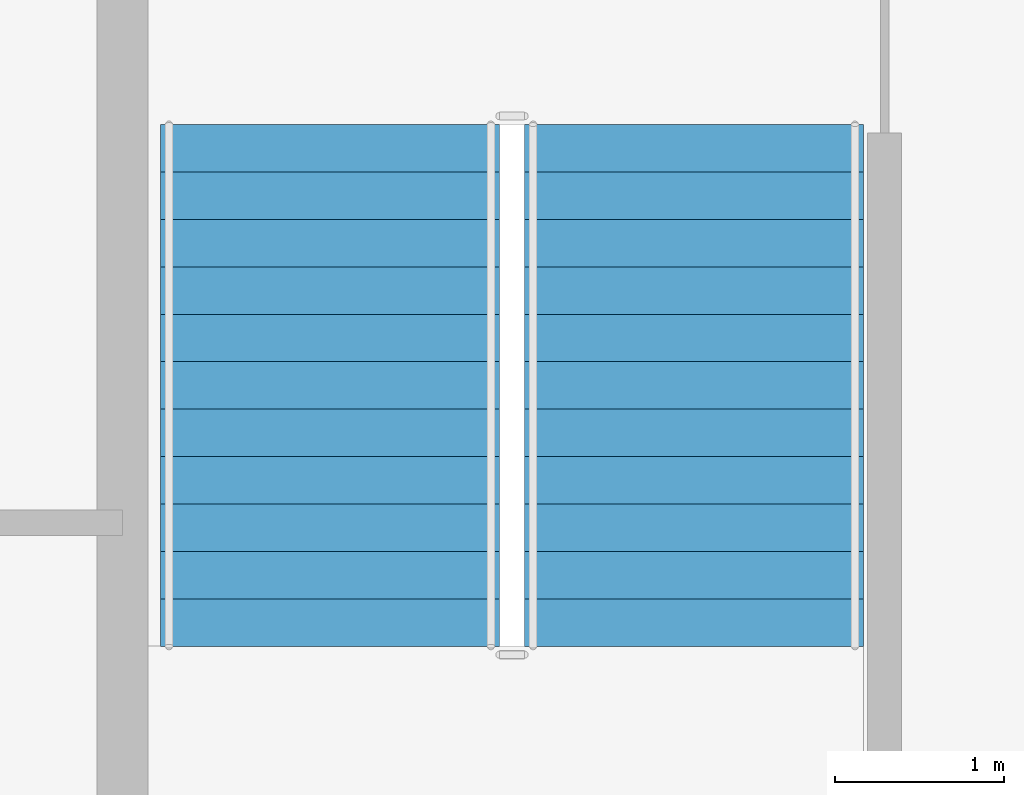
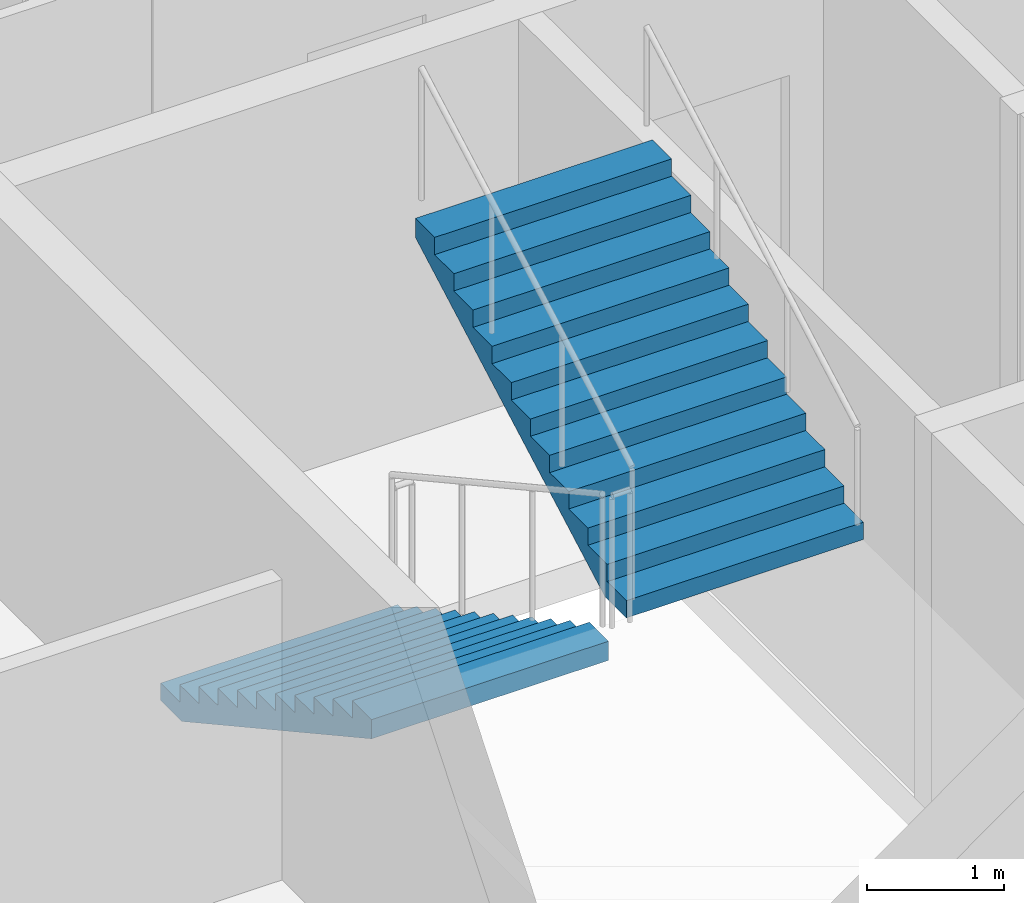
# One storey, part 8 of 11: 2 stair flights, 1 element without a shape of its own.
"""IFC4 building model written with IfcOpenShell, lengths in metres."""

from ifc_helpers import new_model, si_unit, direction, frame, origin, place, context, subcontext, project, spatial, polygons, material, type_object, element, aggregate, save


model = new_model("IFC4")

# Units and contexts
model_context = context("Model", 3, precision=1e-05, world=origin(), true_north=direction((0.0, 1.0)))
body_context = subcontext(model_context, "Body", "Model", "MODEL_VIEW")
ifc_project = project(units=[si_unit("LENGTHUNIT", "METRE"), si_unit("AREAUNIT", "SQUARE_METRE"), si_unit("VOLUMEUNIT", "CUBIC_METRE"), si_unit("PLANEANGLEUNIT", "RADIAN"), si_unit("MASSUNIT", "GRAM", prefix="KILO")], contexts=[model_context])

# Site, building, storey
site_placement = place(None, origin())
site = spatial("IfcSite", under=ifc_project, at=site_placement, CompositionType="ELEMENT")
building_placement = place(site_placement, origin())
building = spatial("IfcBuilding", under=site, at=building_placement, Name="Caravel Reach Hotel and Residences", CompositionType="ELEMENT")
storey_placement = place(building_placement, frame((0.0, 0.0, 225.699951171875)))
storey = spatial("IfcBuildingStorey", under=building, at=storey_placement, Name="L57", CompositionType="ELEMENT", Elevation=225.699951171875)

# Stair, stair flights
ifc_material_1 = material(Name="Concrete C40", Category="concrete")
stair_type = type_object("IfcStairType", Name="Core stair", PredefinedType="HALF_TURN_STAIR", material=ifc_material_1)
stair_placement = place(storey_placement, origin())
stair = element("IfcStair", 1, at=stair_placement, inside=storey, type_object=stair_type, Name="L57 Exit stair A", PredefinedType="HALF_TURN_STAIR")
ifc_material_2 = material(Name="Concrete C40", Category="concrete")
stair_flight_type = type_object("IfcStairFlightType", Name="Core stair flight", PredefinedType="STRAIGHT", material=ifc_material_2)
stair_flight_1_placement = place(storey_placement, frame((19.22509765625, 29.35009765625, 0.0), z_axis=(0.0, 0.0, 1.0), x_axis=(0.0, -1.0, 0.0)))
stair_flight_1 = element("IfcStairFlight", 2, at=stair_flight_1_placement, type_object=stair_flight_type, Name="ST-A flight 1", NumberOfRisers=12, NumberOfTreads=11, PredefinedType="STRAIGHT", RiserHeight=0.154166667, TreadLength=0.28, context=body_context, shape_type="Tessellation", body=[
    polygons([(0.3107950034306102, 1.0, 0.0), (0.3107950034306102, 0.6666666666666667, 0.0), (0.3107950034306102, 0.33333333333333337, 0.0), (0.3107950034306102, 0.0, 0.0), (0.3107950034306102, -0.33333333333333326, 0.0), (0.3107950034306102, -0.6666666666666667, 0.0), (0.3107950034306102, -1.0, 0.0), (3.081, 1.0, 1.524711087717319), (3.081, 0.6666666666666667, 1.524711087717319), (3.081, 0.33333333333333337, 1.524711087717319), (3.081, 0.0, 1.524711087717319), (3.081, -0.33333333333333326, 1.524711087717319), (3.081, -0.6666666666666667, 1.524711087717319), (3.081, -1.0, 1.524711087717319), (3.081, 1.0, 1.695833337), (3.081, 0.6666666666666667, 1.695833337), (3.081, 0.33333333333333337, 1.695833337), (3.081, 0.0, 1.695833337), (3.081, -0.33333333333333326, 1.695833337), (3.081, -0.6666666666666667, 1.695833337), (3.081, -1.0, 1.695833337), (2.8000000000000003, 1.0, 1.695833337), (2.8000000000000003, 0.6666666666666667, 1.695833337), (2.8000000000000003, 0.33333333333333337, 1.695833337), (2.8000000000000003, 0.0, 1.695833337), (2.8000000000000003, -0.33333333333333326, 1.695833337), (2.8000000000000003, -0.6666666666666667, 1.695833337), (2.8000000000000003, -1.0, 1.695833337), (2.8000000000000003, 1.0, 1.5416666700000001), (2.8000000000000003, 0.6666666666666667, 1.5416666700000001), (2.8000000000000003, 0.33333333333333337, 1.5416666700000001), (2.8000000000000003, 0.0, 1.5416666700000001), (2.8000000000000003, -0.33333333333333326, 1.5416666700000001), (2.8000000000000003, -0.6666666666666667, 1.5416666700000001), (2.8000000000000003, -1.0, 1.5416666700000001), (2.5200000000000005, 1.0, 1.5416666700000001), (2.5200000000000005, 0.6666666666666667, 1.5416666700000001), (2.5200000000000005, 0.33333333333333337, 1.5416666700000001), (2.5200000000000005, 0.0, 1.5416666700000001), (2.5200000000000005, -0.33333333333333326, 1.5416666700000001), (2.5200000000000005, -0.6666666666666667, 1.5416666700000001), (2.5200000000000005, -1.0, 1.5416666700000001), (2.5200000000000005, 1.0, 1.387500003), (2.5200000000000005, 0.6666666666666667, 1.387500003), (2.5200000000000005, 0.33333333333333337, 1.387500003), (2.5200000000000005, 0.0, 1.387500003), (2.5200000000000005, -0.33333333333333326, 1.387500003), (2.5200000000000005, -0.6666666666666667, 1.387500003), (2.5200000000000005, -1.0, 1.387500003), (2.24, 1.0, 1.387500003), (2.24, 0.6666666666666667, 1.387500003), (2.24, 0.33333333333333337, 1.387500003), (2.24, 0.0, 1.387500003), (2.24, -0.33333333333333326, 1.387500003), (2.24, -0.6666666666666667, 1.387500003), (2.24, -1.0, 1.387500003), (2.24, 1.0, 1.233333336), (2.24, 0.6666666666666667, 1.233333336), (2.24, 0.33333333333333337, 1.233333336), (2.24, 0.0, 1.233333336), (2.24, -0.33333333333333326, 1.233333336), (2.24, -0.6666666666666667, 1.233333336), (2.24, -1.0, 1.233333336), (1.9600000000000002, 1.0, 1.233333336), (1.9600000000000002, 0.6666666666666667, 1.233333336), (1.9600000000000002, 0.33333333333333337, 1.233333336), (1.9600000000000002, 0.0, 1.233333336), (1.9600000000000002, -0.33333333333333326, 1.233333336), (1.9600000000000002, -0.6666666666666667, 1.233333336), (1.9600000000000002, -1.0, 1.233333336), (1.9600000000000002, 1.0, 1.0791666690000001), (1.9600000000000002, 0.6666666666666667, 1.0791666690000001), (1.9600000000000002, 0.33333333333333337, 1.0791666690000001), (1.9600000000000002, 0.0, 1.0791666690000001), (1.9600000000000002, -0.33333333333333326, 1.0791666690000001), (1.9600000000000002, -0.6666666666666667, 1.0791666690000001), (1.9600000000000002, -1.0, 1.0791666690000001), (1.6800000000000002, 1.0, 1.0791666690000001), (1.6800000000000002, 0.6666666666666667, 1.0791666690000001), (1.6800000000000002, 0.33333333333333337, 1.0791666690000001), (1.6800000000000002, 0.0, 1.0791666690000001), (1.6800000000000002, -0.33333333333333326, 1.0791666690000001), (1.6800000000000002, -0.6666666666666667, 1.0791666690000001), (1.6800000000000002, -1.0, 1.0791666690000001), (1.6800000000000002, 1.0, 0.925000002), (1.6800000000000002, 0.6666666666666667, 0.925000002), (1.6800000000000002, 0.33333333333333337, 0.925000002), (1.6800000000000002, 0.0, 0.925000002), (1.6800000000000002, -0.33333333333333326, 0.925000002), (1.6800000000000002, -0.6666666666666667, 0.925000002), (1.6800000000000002, -1.0, 0.925000002), (1.4000000000000001, 1.0, 0.925000002), (1.4000000000000001, 0.6666666666666667, 0.925000002), (1.4000000000000001, 0.33333333333333337, 0.925000002), (1.4000000000000001, 0.0, 0.925000002), (1.4000000000000001, -0.33333333333333326, 0.925000002), (1.4000000000000001, -0.6666666666666667, 0.925000002), (1.4000000000000001, -1.0, 0.925000002), (1.4000000000000001, 1.0, 0.7708333350000001), (1.4000000000000001, 0.6666666666666667, 0.7708333350000001), (1.4000000000000001, 0.33333333333333337, 0.7708333350000001), (1.4000000000000001, 0.0, 0.7708333350000001), (1.4000000000000001, -0.33333333333333326, 0.7708333350000001), (1.4000000000000001, -0.6666666666666667, 0.7708333350000001), (1.4000000000000001, -1.0, 0.7708333350000001), (1.12, 1.0, 0.7708333350000001), (1.12, 0.6666666666666667, 0.7708333350000001), (1.12, 0.33333333333333337, 0.7708333350000001), (1.12, 0.0, 0.7708333350000001), (1.12, -0.33333333333333326, 0.7708333350000001), (1.12, -0.6666666666666667, 0.7708333350000001), (1.12, -1.0, 0.7708333350000001), (1.12, 1.0, 0.616666668), (1.12, 0.6666666666666667, 0.616666668), (1.12, 0.33333333333333337, 0.616666668), (1.12, 0.0, 0.616666668), (1.12, -0.33333333333333326, 0.616666668), (1.12, -0.6666666666666667, 0.616666668), (1.12, -1.0, 0.616666668), (0.8400000000000001, 1.0, 0.616666668), (0.8400000000000001, 0.6666666666666667, 0.616666668), (0.8400000000000001, 0.33333333333333337, 0.616666668), (0.8400000000000001, 0.0, 0.616666668), (0.8400000000000001, -0.33333333333333326, 0.616666668), (0.8400000000000001, -0.6666666666666667, 0.616666668), (0.8400000000000001, -1.0, 0.616666668), (0.8400000000000001, 1.0, 0.462500001), (0.8400000000000001, 0.6666666666666667, 0.462500001), (0.8400000000000001, 0.33333333333333337, 0.462500001), (0.8400000000000001, 0.0, 0.462500001), (0.8400000000000001, -0.33333333333333326, 0.462500001), (0.8400000000000001, -0.6666666666666667, 0.462500001), (0.8400000000000001, -1.0, 0.462500001), (0.56, 1.0, 0.462500001), (0.56, 0.6666666666666667, 0.462500001), (0.56, 0.33333333333333337, 0.462500001), (0.56, 0.0, 0.462500001), (0.56, -0.33333333333333326, 0.462500001), (0.56, -0.6666666666666667, 0.462500001), (0.56, -1.0, 0.462500001), (0.56, 1.0, 0.308333334), (0.56, 0.6666666666666667, 0.308333334), (0.56, 0.33333333333333337, 0.308333334), (0.56, 0.0, 0.308333334), (0.56, -0.33333333333333326, 0.308333334), (0.56, -0.6666666666666667, 0.308333334), (0.56, -1.0, 0.308333334), (0.28, 1.0, 0.308333334), (0.28, 0.6666666666666667, 0.308333334), (0.28, 0.33333333333333337, 0.308333334), (0.28, 0.0, 0.308333334), (0.28, -0.33333333333333326, 0.308333334), (0.28, -0.6666666666666667, 0.308333334), (0.28, -1.0, 0.308333334), (0.28, 1.0, 0.154166667), (0.28, 0.6666666666666667, 0.154166667), (0.28, 0.33333333333333337, 0.154166667), (0.28, 0.0, 0.154166667), (0.28, -0.33333333333333326, 0.154166667), (0.28, -0.6666666666666667, 0.154166667), (0.28, -1.0, 0.154166667), (-0.001, 1.0, 0.154166667), (-0.001, 0.6666666666666667, 0.154166667), (-0.001, 0.33333333333333337, 0.154166667), (-0.001, 0.0, 0.154166667), (-0.001, -0.33333333333333326, 0.154166667), (-0.001, -0.6666666666666667, 0.154166667), (-0.001, -1.0, 0.154166667), (-0.001, 1.0, 0.0), (-0.001, 0.6666666666666667, 0.0), (-0.001, 0.33333333333333337, 0.0), (-0.001, 0.0, 0.0), (-0.001, -0.33333333333333326, 0.0), (-0.001, -0.6666666666666667, 0.0), (-0.001, -1.0, 0.0)], [[[169, 162, 155, 148, 141, 134, 127, 120, 113, 106, 99, 92, 85, 78, 71, 64, 57, 50, 43, 36, 29, 22, 15, 8, 1]], [[7, 14, 21, 28, 35, 42, 49, 56, 63, 70, 77, 84, 91, 98, 105, 112, 119, 126, 133, 140, 147, 154, 161, 168, 175]], [[1, 8, 9, 2]], [[2, 9, 10, 3]], [[3, 10, 11, 4]], [[4, 11, 12, 5]], [[5, 12, 13, 6]], [[6, 13, 14, 7]], [[8, 15, 16, 9]], [[9, 16, 17, 10]], [[10, 17, 18, 11]], [[11, 18, 19, 12]], [[12, 19, 20, 13]], [[13, 20, 21, 14]], [[15, 22, 23, 16]], [[16, 23, 24, 17]], [[17, 24, 25, 18]], [[18, 25, 26, 19]], [[19, 26, 27, 20]], [[20, 27, 28, 21]], [[22, 29, 30, 23]], [[23, 30, 31, 24]], [[24, 31, 32, 25]], [[25, 32, 33, 26]], [[26, 33, 34, 27]], [[27, 34, 35, 28]], [[29, 36, 37, 30]], [[30, 37, 38, 31]], [[31, 38, 39, 32]], [[32, 39, 40, 33]], [[33, 40, 41, 34]], [[34, 41, 42, 35]], [[36, 43, 44, 37]], [[37, 44, 45, 38]], [[38, 45, 46, 39]], [[39, 46, 47, 40]], [[40, 47, 48, 41]], [[41, 48, 49, 42]], [[43, 50, 51, 44]], [[44, 51, 52, 45]], [[45, 52, 53, 46]], [[46, 53, 54, 47]], [[47, 54, 55, 48]], [[48, 55, 56, 49]], [[50, 57, 58, 51]], [[51, 58, 59, 52]], [[52, 59, 60, 53]], [[53, 60, 61, 54]], [[54, 61, 62, 55]], [[55, 62, 63, 56]], [[57, 64, 65, 58]], [[58, 65, 66, 59]], [[59, 66, 67, 60]], [[60, 67, 68, 61]], [[61, 68, 69, 62]], [[62, 69, 70, 63]], [[64, 71, 72, 65]], [[65, 72, 73, 66]], [[66, 73, 74, 67]], [[67, 74, 75, 68]], [[68, 75, 76, 69]], [[69, 76, 77, 70]], [[71, 78, 79, 72]], [[72, 79, 80, 73]], [[73, 80, 81, 74]], [[74, 81, 82, 75]], [[75, 82, 83, 76]], [[76, 83, 84, 77]], [[78, 85, 86, 79]], [[79, 86, 87, 80]], [[80, 87, 88, 81]], [[81, 88, 89, 82]], [[82, 89, 90, 83]], [[83, 90, 91, 84]], [[85, 92, 93, 86]], [[86, 93, 94, 87]], [[87, 94, 95, 88]], [[88, 95, 96, 89]], [[89, 96, 97, 90]], [[90, 97, 98, 91]], [[92, 99, 100, 93]], [[93, 100, 101, 94]], [[94, 101, 102, 95]], [[95, 102, 103, 96]], [[96, 103, 104, 97]], [[97, 104, 105, 98]], [[99, 106, 107, 100]], [[100, 107, 108, 101]], [[101, 108, 109, 102]], [[102, 109, 110, 103]], [[103, 110, 111, 104]], [[104, 111, 112, 105]], [[106, 113, 114, 107]], [[107, 114, 115, 108]], [[108, 115, 116, 109]], [[109, 116, 117, 110]], [[110, 117, 118, 111]], [[111, 118, 119, 112]], [[113, 120, 121, 114]], [[114, 121, 122, 115]], [[115, 122, 123, 116]], [[116, 123, 124, 117]], [[117, 124, 125, 118]], [[118, 125, 126, 119]], [[120, 127, 128, 121]], [[121, 128, 129, 122]], [[122, 129, 130, 123]], [[123, 130, 131, 124]], [[124, 131, 132, 125]], [[125, 132, 133, 126]], [[127, 134, 135, 128]], [[128, 135, 136, 129]], [[129, 136, 137, 130]], [[130, 137, 138, 131]], [[131, 138, 139, 132]], [[132, 139, 140, 133]], [[134, 141, 142, 135]], [[135, 142, 143, 136]], [[136, 143, 144, 137]], [[137, 144, 145, 138]], [[138, 145, 146, 139]], [[139, 146, 147, 140]], [[141, 148, 149, 142]], [[142, 149, 150, 143]], [[143, 150, 151, 144]], [[144, 151, 152, 145]], [[145, 152, 153, 146]], [[146, 153, 154, 147]], [[148, 155, 156, 149]], [[149, 156, 157, 150]], [[150, 157, 158, 151]], [[151, 158, 159, 152]], [[152, 159, 160, 153]], [[153, 160, 161, 154]], [[155, 162, 163, 156]], [[156, 163, 164, 157]], [[157, 164, 165, 158]], [[158, 165, 166, 159]], [[159, 166, 167, 160]], [[160, 167, 168, 161]], [[162, 169, 170, 163]], [[163, 170, 171, 164]], [[164, 171, 172, 165]], [[165, 172, 173, 166]], [[166, 173, 174, 167]], [[167, 174, 175, 168]], [[169, 1, 2, 170]], [[170, 2, 3, 171]], [[171, 3, 4, 172]], [[172, 4, 5, 173]], [[173, 5, 6, 174]], [[174, 6, 7, 175]]], closed=True),
])
stair_flight_2_placement = place(storey_placement, frame((21.375, 26.27001953125, 1.85009765625), z_axis=(0.0, 0.0, 1.0), x_axis=(0.0, 1.0, 0.0)))
stair_flight_2 = element("IfcStairFlight", 3, at=stair_flight_2_placement, type_object=stair_flight_type, Name="ST-A flight 2", NumberOfRisers=12, NumberOfTreads=11, PredefinedType="STRAIGHT", RiserHeight=0.154166667, TreadLength=0.28, context=body_context, shape_type="Tessellation", body=[
    polygons([(0.3107950034306102, 1.0, 0.0), (0.3107950034306102, 0.6666666666666667, 0.0), (0.3107950034306102, 0.33333333333333337, 0.0), (0.3107950034306102, 0.0, 0.0), (0.3107950034306102, -0.33333333333333326, 0.0), (0.3107950034306102, -0.6666666666666667, 0.0), (0.3107950034306102, -1.0, 0.0), (3.081, 1.0, 1.524711087717319), (3.081, 0.6666666666666667, 1.524711087717319), (3.081, 0.33333333333333337, 1.524711087717319), (3.081, 0.0, 1.524711087717319), (3.081, -0.33333333333333326, 1.524711087717319), (3.081, -0.6666666666666667, 1.524711087717319), (3.081, -1.0, 1.524711087717319), (3.081, 1.0, 1.695833337), (3.081, 0.6666666666666667, 1.695833337), (3.081, 0.33333333333333337, 1.695833337), (3.081, 0.0, 1.695833337), (3.081, -0.33333333333333326, 1.695833337), (3.081, -0.6666666666666667, 1.695833337), (3.081, -1.0, 1.695833337), (2.8000000000000003, 1.0, 1.695833337), (2.8000000000000003, 0.6666666666666667, 1.695833337), (2.8000000000000003, 0.33333333333333337, 1.695833337), (2.8000000000000003, 0.0, 1.695833337), (2.8000000000000003, -0.33333333333333326, 1.695833337), (2.8000000000000003, -0.6666666666666667, 1.695833337), (2.8000000000000003, -1.0, 1.695833337), (2.8000000000000003, 1.0, 1.5416666700000001), (2.8000000000000003, 0.6666666666666667, 1.5416666700000001), (2.8000000000000003, 0.33333333333333337, 1.5416666700000001), (2.8000000000000003, 0.0, 1.5416666700000001), (2.8000000000000003, -0.33333333333333326, 1.5416666700000001), (2.8000000000000003, -0.6666666666666667, 1.5416666700000001), (2.8000000000000003, -1.0, 1.5416666700000001), (2.5200000000000005, 1.0, 1.5416666700000001), (2.5200000000000005, 0.6666666666666667, 1.5416666700000001), (2.5200000000000005, 0.33333333333333337, 1.5416666700000001), (2.5200000000000005, 0.0, 1.5416666700000001), (2.5200000000000005, -0.33333333333333326, 1.5416666700000001), (2.5200000000000005, -0.6666666666666667, 1.5416666700000001), (2.5200000000000005, -1.0, 1.5416666700000001), (2.5200000000000005, 1.0, 1.387500003), (2.5200000000000005, 0.6666666666666667, 1.387500003), (2.5200000000000005, 0.33333333333333337, 1.387500003), (2.5200000000000005, 0.0, 1.387500003), (2.5200000000000005, -0.33333333333333326, 1.387500003), (2.5200000000000005, -0.6666666666666667, 1.387500003), (2.5200000000000005, -1.0, 1.387500003), (2.24, 1.0, 1.387500003), (2.24, 0.6666666666666667, 1.387500003), (2.24, 0.33333333333333337, 1.387500003), (2.24, 0.0, 1.387500003), (2.24, -0.33333333333333326, 1.387500003), (2.24, -0.6666666666666667, 1.387500003), (2.24, -1.0, 1.387500003), (2.24, 1.0, 1.233333336), (2.24, 0.6666666666666667, 1.233333336), (2.24, 0.33333333333333337, 1.233333336), (2.24, 0.0, 1.233333336), (2.24, -0.33333333333333326, 1.233333336), (2.24, -0.6666666666666667, 1.233333336), (2.24, -1.0, 1.233333336), (1.9600000000000002, 1.0, 1.233333336), (1.9600000000000002, 0.6666666666666667, 1.233333336), (1.9600000000000002, 0.33333333333333337, 1.233333336), (1.9600000000000002, 0.0, 1.233333336), (1.9600000000000002, -0.33333333333333326, 1.233333336), (1.9600000000000002, -0.6666666666666667, 1.233333336), (1.9600000000000002, -1.0, 1.233333336), (1.9600000000000002, 1.0, 1.0791666690000001), (1.9600000000000002, 0.6666666666666667, 1.0791666690000001), (1.9600000000000002, 0.33333333333333337, 1.0791666690000001), (1.9600000000000002, 0.0, 1.0791666690000001), (1.9600000000000002, -0.33333333333333326, 1.0791666690000001), (1.9600000000000002, -0.6666666666666667, 1.0791666690000001), (1.9600000000000002, -1.0, 1.0791666690000001), (1.6800000000000002, 1.0, 1.0791666690000001), (1.6800000000000002, 0.6666666666666667, 1.0791666690000001), (1.6800000000000002, 0.33333333333333337, 1.0791666690000001), (1.6800000000000002, 0.0, 1.0791666690000001), (1.6800000000000002, -0.33333333333333326, 1.0791666690000001), (1.6800000000000002, -0.6666666666666667, 1.0791666690000001), (1.6800000000000002, -1.0, 1.0791666690000001), (1.6800000000000002, 1.0, 0.925000002), (1.6800000000000002, 0.6666666666666667, 0.925000002), (1.6800000000000002, 0.33333333333333337, 0.925000002), (1.6800000000000002, 0.0, 0.925000002), (1.6800000000000002, -0.33333333333333326, 0.925000002), (1.6800000000000002, -0.6666666666666667, 0.925000002), (1.6800000000000002, -1.0, 0.925000002), (1.4000000000000001, 1.0, 0.925000002), (1.4000000000000001, 0.6666666666666667, 0.925000002), (1.4000000000000001, 0.33333333333333337, 0.925000002), (1.4000000000000001, 0.0, 0.925000002), (1.4000000000000001, -0.33333333333333326, 0.925000002), (1.4000000000000001, -0.6666666666666667, 0.925000002), (1.4000000000000001, -1.0, 0.925000002), (1.4000000000000001, 1.0, 0.7708333350000001), (1.4000000000000001, 0.6666666666666667, 0.7708333350000001), (1.4000000000000001, 0.33333333333333337, 0.7708333350000001), (1.4000000000000001, 0.0, 0.7708333350000001), (1.4000000000000001, -0.33333333333333326, 0.7708333350000001), (1.4000000000000001, -0.6666666666666667, 0.7708333350000001), (1.4000000000000001, -1.0, 0.7708333350000001), (1.12, 1.0, 0.7708333350000001), (1.12, 0.6666666666666667, 0.7708333350000001), (1.12, 0.33333333333333337, 0.7708333350000001), (1.12, 0.0, 0.7708333350000001), (1.12, -0.33333333333333326, 0.7708333350000001), (1.12, -0.6666666666666667, 0.7708333350000001), (1.12, -1.0, 0.7708333350000001), (1.12, 1.0, 0.616666668), (1.12, 0.6666666666666667, 0.616666668), (1.12, 0.33333333333333337, 0.616666668), (1.12, 0.0, 0.616666668), (1.12, -0.33333333333333326, 0.616666668), (1.12, -0.6666666666666667, 0.616666668), (1.12, -1.0, 0.616666668), (0.8400000000000001, 1.0, 0.616666668), (0.8400000000000001, 0.6666666666666667, 0.616666668), (0.8400000000000001, 0.33333333333333337, 0.616666668), (0.8400000000000001, 0.0, 0.616666668), (0.8400000000000001, -0.33333333333333326, 0.616666668), (0.8400000000000001, -0.6666666666666667, 0.616666668), (0.8400000000000001, -1.0, 0.616666668), (0.8400000000000001, 1.0, 0.462500001), (0.8400000000000001, 0.6666666666666667, 0.462500001), (0.8400000000000001, 0.33333333333333337, 0.462500001), (0.8400000000000001, 0.0, 0.462500001), (0.8400000000000001, -0.33333333333333326, 0.462500001), (0.8400000000000001, -0.6666666666666667, 0.462500001), (0.8400000000000001, -1.0, 0.462500001), (0.56, 1.0, 0.462500001), (0.56, 0.6666666666666667, 0.462500001), (0.56, 0.33333333333333337, 0.462500001), (0.56, 0.0, 0.462500001), (0.56, -0.33333333333333326, 0.462500001), (0.56, -0.6666666666666667, 0.462500001), (0.56, -1.0, 0.462500001), (0.56, 1.0, 0.308333334), (0.56, 0.6666666666666667, 0.308333334), (0.56, 0.33333333333333337, 0.308333334), (0.56, 0.0, 0.308333334), (0.56, -0.33333333333333326, 0.308333334), (0.56, -0.6666666666666667, 0.308333334), (0.56, -1.0, 0.308333334), (0.28, 1.0, 0.308333334), (0.28, 0.6666666666666667, 0.308333334), (0.28, 0.33333333333333337, 0.308333334), (0.28, 0.0, 0.308333334), (0.28, -0.33333333333333326, 0.308333334), (0.28, -0.6666666666666667, 0.308333334), (0.28, -1.0, 0.308333334), (0.28, 1.0, 0.154166667), (0.28, 0.6666666666666667, 0.154166667), (0.28, 0.33333333333333337, 0.154166667), (0.28, 0.0, 0.154166667), (0.28, -0.33333333333333326, 0.154166667), (0.28, -0.6666666666666667, 0.154166667), (0.28, -1.0, 0.154166667), (-0.001, 1.0, 0.154166667), (-0.001, 0.6666666666666667, 0.154166667), (-0.001, 0.33333333333333337, 0.154166667), (-0.001, 0.0, 0.154166667), (-0.001, -0.33333333333333326, 0.154166667), (-0.001, -0.6666666666666667, 0.154166667), (-0.001, -1.0, 0.154166667), (-0.001, 1.0, 0.0), (-0.001, 0.6666666666666667, 0.0), (-0.001, 0.33333333333333337, 0.0), (-0.001, 0.0, 0.0), (-0.001, -0.33333333333333326, 0.0), (-0.001, -0.6666666666666667, 0.0), (-0.001, -1.0, 0.0)], [[[169, 162, 155, 148, 141, 134, 127, 120, 113, 106, 99, 92, 85, 78, 71, 64, 57, 50, 43, 36, 29, 22, 15, 8, 1]], [[7, 14, 21, 28, 35, 42, 49, 56, 63, 70, 77, 84, 91, 98, 105, 112, 119, 126, 133, 140, 147, 154, 161, 168, 175]], [[1, 8, 9, 2]], [[2, 9, 10, 3]], [[3, 10, 11, 4]], [[4, 11, 12, 5]], [[5, 12, 13, 6]], [[6, 13, 14, 7]], [[8, 15, 16, 9]], [[9, 16, 17, 10]], [[10, 17, 18, 11]], [[11, 18, 19, 12]], [[12, 19, 20, 13]], [[13, 20, 21, 14]], [[15, 22, 23, 16]], [[16, 23, 24, 17]], [[17, 24, 25, 18]], [[18, 25, 26, 19]], [[19, 26, 27, 20]], [[20, 27, 28, 21]], [[22, 29, 30, 23]], [[23, 30, 31, 24]], [[24, 31, 32, 25]], [[25, 32, 33, 26]], [[26, 33, 34, 27]], [[27, 34, 35, 28]], [[29, 36, 37, 30]], [[30, 37, 38, 31]], [[31, 38, 39, 32]], [[32, 39, 40, 33]], [[33, 40, 41, 34]], [[34, 41, 42, 35]], [[36, 43, 44, 37]], [[37, 44, 45, 38]], [[38, 45, 46, 39]], [[39, 46, 47, 40]], [[40, 47, 48, 41]], [[41, 48, 49, 42]], [[43, 50, 51, 44]], [[44, 51, 52, 45]], [[45, 52, 53, 46]], [[46, 53, 54, 47]], [[47, 54, 55, 48]], [[48, 55, 56, 49]], [[50, 57, 58, 51]], [[51, 58, 59, 52]], [[52, 59, 60, 53]], [[53, 60, 61, 54]], [[54, 61, 62, 55]], [[55, 62, 63, 56]], [[57, 64, 65, 58]], [[58, 65, 66, 59]], [[59, 66, 67, 60]], [[60, 67, 68, 61]], [[61, 68, 69, 62]], [[62, 69, 70, 63]], [[64, 71, 72, 65]], [[65, 72, 73, 66]], [[66, 73, 74, 67]], [[67, 74, 75, 68]], [[68, 75, 76, 69]], [[69, 76, 77, 70]], [[71, 78, 79, 72]], [[72, 79, 80, 73]], [[73, 80, 81, 74]], [[74, 81, 82, 75]], [[75, 82, 83, 76]], [[76, 83, 84, 77]], [[78, 85, 86, 79]], [[79, 86, 87, 80]], [[80, 87, 88, 81]], [[81, 88, 89, 82]], [[82, 89, 90, 83]], [[83, 90, 91, 84]], [[85, 92, 93, 86]], [[86, 93, 94, 87]], [[87, 94, 95, 88]], [[88, 95, 96, 89]], [[89, 96, 97, 90]], [[90, 97, 98, 91]], [[92, 99, 100, 93]], [[93, 100, 101, 94]], [[94, 101, 102, 95]], [[95, 102, 103, 96]], [[96, 103, 104, 97]], [[97, 104, 105, 98]], [[99, 106, 107, 100]], [[100, 107, 108, 101]], [[101, 108, 109, 102]], [[102, 109, 110, 103]], [[103, 110, 111, 104]], [[104, 111, 112, 105]], [[106, 113, 114, 107]], [[107, 114, 115, 108]], [[108, 115, 116, 109]], [[109, 116, 117, 110]], [[110, 117, 118, 111]], [[111, 118, 119, 112]], [[113, 120, 121, 114]], [[114, 121, 122, 115]], [[115, 122, 123, 116]], [[116, 123, 124, 117]], [[117, 124, 125, 118]], [[118, 125, 126, 119]], [[120, 127, 128, 121]], [[121, 128, 129, 122]], [[122, 129, 130, 123]], [[123, 130, 131, 124]], [[124, 131, 132, 125]], [[125, 132, 133, 126]], [[127, 134, 135, 128]], [[128, 135, 136, 129]], [[129, 136, 137, 130]], [[130, 137, 138, 131]], [[131, 138, 139, 132]], [[132, 139, 140, 133]], [[134, 141, 142, 135]], [[135, 142, 143, 136]], [[136, 143, 144, 137]], [[137, 144, 145, 138]], [[138, 145, 146, 139]], [[139, 146, 147, 140]], [[141, 148, 149, 142]], [[142, 149, 150, 143]], [[143, 150, 151, 144]], [[144, 151, 152, 145]], [[145, 152, 153, 146]], [[146, 153, 154, 147]], [[148, 155, 156, 149]], [[149, 156, 157, 150]], [[150, 157, 158, 151]], [[151, 158, 159, 152]], [[152, 159, 160, 153]], [[153, 160, 161, 154]], [[155, 162, 163, 156]], [[156, 163, 164, 157]], [[157, 164, 165, 158]], [[158, 165, 166, 159]], [[159, 166, 167, 160]], [[160, 167, 168, 161]], [[162, 169, 170, 163]], [[163, 170, 171, 164]], [[164, 171, 172, 165]], [[165, 172, 173, 166]], [[166, 173, 174, 167]], [[167, 174, 175, 168]], [[169, 1, 2, 170]], [[170, 2, 3, 171]], [[171, 3, 4, 172]], [[172, 4, 5, 173]], [[173, 5, 6, 174]], [[174, 6, 7, 175]]], closed=True),
])
aggregate(stair, [stair_flight_1, stair_flight_2])

save(model, "model.ifc")
